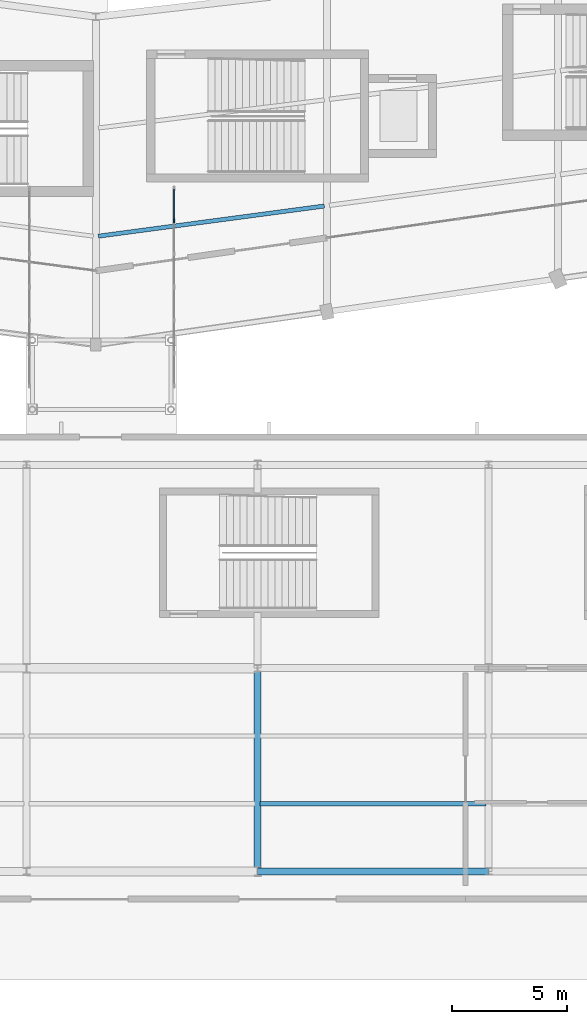
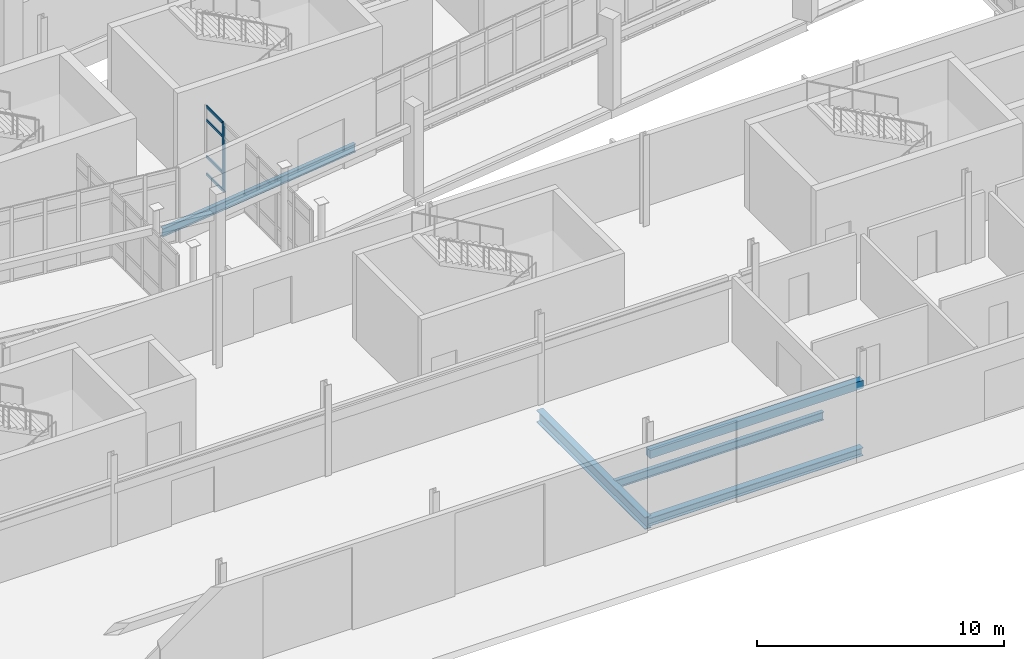
# One storey, part 37 of 122: 5 beams, 5 members, 1 element without a shape of its own.
"""IFC4 building model written with IfcOpenShell, lengths in metres."""

from ifc_helpers import new_model, si_unit, direction, frame, origin, origin_2d, place, context, subcontext, project, spatial, rectangle, i_section, extrude, material, layer, layer_set, material_profile, profile_set, type_object, element, aggregate, save


model = new_model("IFC4")

# Units and contexts
model_context = context("Model", 3, precision=1e-05, world=origin(), true_north=direction((0.0, 1.0)))
body_context = subcontext(model_context, "Body", "Model", "MODEL_VIEW")
ifc_project = project(units=[si_unit("LENGTHUNIT", "METRE"), si_unit("AREAUNIT", "SQUARE_METRE"), si_unit("VOLUMEUNIT", "CUBIC_METRE"), si_unit("PLANEANGLEUNIT", "RADIAN"), si_unit("MASSUNIT", "GRAM", prefix="KILO")], contexts=[model_context])

# Site, building, storey
site_placement = place(None, origin())
site = spatial("IfcSite", under=ifc_project, at=site_placement, CompositionType="ELEMENT")
building_placement = place(site_placement, origin())
building = spatial("IfcBuilding", under=site, at=building_placement, Name="Sohan Crest Arena", CompositionType="ELEMENT")
storey_placement = place(building_placement, origin())
storey = spatial("IfcBuildingStorey", under=building, at=storey_placement, Name="L00", CompositionType="ELEMENT", Elevation=0.0)

# Curtain wall, members
ifc_material_1 = material(Name="Thermally broken anodised aluminium", Category="aluminium")
ifc_layer = layer(ifc_material_1, 0.18994140625, Name="Thermally broken anodised aluminium")
ifc_layer_set = layer_set([ifc_layer], Name="Thermally broken anodised aluminium")
curtain_wall_type = type_object("IfcCurtainWallType", Name="ARC-CW05", PredefinedType="NOTDEFINED", material=ifc_layer_set)
curtain_wall_placement = place(storey_placement, origin())
curtain_wall = element("IfcCurtainWall", 1, at=curtain_wall_placement, inside=storey, type_object=curtain_wall_type, Name="Unitised curtain wall CW-248", PredefinedType="NOTDEFINED")
ifc_material_profile_1 = material_profile(ifc_material_1, rectangle(XDim=0.06494140625, YDim=0.179931640625, at=origin_2d()), Name="ALU-MULL 65x180")
ifc_profile_set_1 = profile_set([ifc_material_profile_1], Name="Thermally broken anodised aluminium")
member_type_1 = type_object("IfcMemberType", Name="ARC-CW-ML02", PredefinedType="MULLION", material=ifc_profile_set_1)
member_1_placement = place(storey_placement, frame((101.3798828125, 35.36669921875, 0.0), z_axis=(0.0, 0.0, 1.0), x_axis=(-1.0, 0.0, 0.0)))
member_1 = element("IfcMember", 2, at=member_1_placement, type_object=member_type_1, Name="CW-248 mullion 6", PredefinedType="MULLION", context=body_context, shape_type="SweptSolid", body=[
    extrude(rectangle(XDim=0.06494140625, YDim=0.179931640625, at=origin_2d()), origin(), (0.0, 0.0, 1.0), 3.39990234375),
])
ifc_material_profile_2 = material_profile(ifc_material_1, rectangle(XDim=0.06005859375, YDim=0.1201171875, at=origin_2d()), Name="ALU-TRAN 60x120")
ifc_profile_set_2 = profile_set([ifc_material_profile_2], Name="Thermally broken anodised aluminium")
member_type_2 = type_object("IfcMemberType", Name="ARC-CW-TR01", PredefinedType="USERDEFINED", material=ifc_profile_set_2)
member_2_placement = place(storey_placement, frame((101.3798828125, 35.399169921875, 0.030029296875), z_axis=(0.0, 1.0, 0.0), x_axis=(-1.0, 0.0, 0.0)))
member_2 = element("IfcMember", 3, at=member_2_placement, type_object=member_type_2, Name="CW-248 transom 6.1", ObjectType="TRANSOM", PredefinedType="USERDEFINED", context=body_context, shape_type="SweptSolid", body=[
    extrude(rectangle(XDim=0.06005859375, YDim=0.1201171875, at=origin_2d()), origin(), (0.0, 0.0, 1.0), 1.3359375),
])
member_3_placement = place(storey_placement, frame((101.3798828125, 35.399169921875, 0.89990234375), z_axis=(0.0, 1.0, 0.0), x_axis=(-1.0, 0.0, 0.0)))
member_3 = element("IfcMember", 4, at=member_3_placement, type_object=member_type_2, Name="CW-248 transom 6.2", ObjectType="TRANSOM", PredefinedType="USERDEFINED", context=body_context, shape_type="SweptSolid", body=[
    extrude(rectangle(XDim=0.06005859375, YDim=0.1201171875, at=origin_2d()), origin(), (0.0, 0.0, 1.0), 1.3359375),
])
member_4_placement = place(storey_placement, frame((101.3798828125, 35.399169921875, 2.699951171875), z_axis=(0.0, 1.0, 0.0), x_axis=(-1.0, 0.0, 0.0)))
member_4 = element("IfcMember", 5, at=member_4_placement, type_object=member_type_2, Name="CW-248 transom 6.3", ObjectType="TRANSOM", PredefinedType="USERDEFINED", context=body_context, shape_type="SweptSolid", body=[
    extrude(rectangle(XDim=0.06005859375, YDim=0.1201171875, at=origin_2d()), origin(), (0.0, 0.0, 1.0), 1.3359375),
])
member_5_placement = place(storey_placement, frame((101.3798828125, 35.399169921875, 3.3701171875), z_axis=(0.0, 1.0, 0.0), x_axis=(-1.0, 0.0, 0.0)))
member_5 = element("IfcMember", 6, at=member_5_placement, type_object=member_type_2, Name="CW-248 transom 6.4", ObjectType="TRANSOM", PredefinedType="USERDEFINED", context=body_context, shape_type="SweptSolid", body=[
    extrude(rectangle(XDim=0.06005859375, YDim=0.1201171875, at=origin_2d()), origin(), (0.0, 0.0, 1.0), 1.3359375),
])
aggregate(curtain_wall, [member_1, member_2, member_3, member_4, member_5])

# Beams
ifc_material_2 = material(Name="Steel S355", Category="steel")
ifc_material_profile_3 = material_profile(ifc_material_2, i_section(OverallWidth=0.179931640625, OverallDepth=0.39990234375, WebThickness=0.008544921875, FlangeThickness=0.013427734375, at=origin_2d()), Name="IPE 400")
ifc_profile_set_3 = profile_set([ifc_material_profile_3], Name="Steel S355")
beam_type_1 = type_object("IfcBeamType", Name="STR-BM-B03", PredefinedType="JOIST", material=ifc_profile_set_3)
beam_1_placement = place(storey_placement, frame((98.10888671875, 34.700927734375, -0.47509765625), z_axis=(0.991216229825, 0.132251222039, 0.0), x_axis=(-0.132251222039, 0.991216229825, 0.0)))
element("IfcBeam", 7, at=beam_1_placement, inside=storey, type_object=beam_type_1, Name="Structural beam J-L00-0966", PredefinedType="JOIST", context=body_context, shape_type="SweptSolid", body=[
    extrude(i_section(OverallWidth=0.179931640625, OverallDepth=0.39990234375, WebThickness=0.008544921875, FlangeThickness=0.013427734375, at=origin_2d()), origin(), (0.0, 0.0, 1.0), 9.868896484375),
])
beam_2_placement = place(storey_placement, frame((105.110107421875, 10.133056640625, -0.5), z_axis=(1.0, 0.0, 0.0), x_axis=(0.0, 1.0, 0.0)))
element("IfcBeam", 8, at=beam_2_placement, inside=storey, type_object=beam_type_1, Name="Structural beam J-L00-2536", PredefinedType="JOIST", context=body_context, shape_type="SweptSolid", body=[
    extrude(i_section(OverallWidth=0.179931640625, OverallDepth=0.39990234375, WebThickness=0.008544921875, FlangeThickness=0.013427734375, at=origin_2d()), origin(), (0.0, 0.0, 1.0), 9.77978515625),
])
ifc_material_profile_4 = material_profile(ifc_material_2, i_section(OverallWidth=0.300048828125, OverallDepth=0.389892578125, WebThickness=0.010986328125, FlangeThickness=0.01904296875, at=origin_2d()), Name="HEA 400")
ifc_profile_set_4 = profile_set([ifc_material_profile_4], Name="Steel S355")
beam_type_2 = type_object("IfcBeamType", Name="STR-BM-B09", PredefinedType="BEAM", material=ifc_profile_set_4)
beam_3_placement = place(storey_placement, frame((105.0, 7.199951171875, -0.4951171875), z_axis=(1.0, 0.0, 0.0), x_axis=(0.0, 1.0, 0.0)))
element("IfcBeam", 9, at=beam_3_placement, inside=storey, type_object=beam_type_2, Name="Structural beam G-L00-2535", PredefinedType="BEAM", context=body_context, shape_type="SweptSolid", body=[
    extrude(i_section(OverallWidth=0.300048828125, OverallDepth=0.389892578125, WebThickness=0.010986328125, FlangeThickness=0.01904296875, at=origin_2d()), origin(), (0.0, 0.0, 1.0), 10.0),
])
ifc_material_profile_5 = material_profile(ifc_material_2, i_section(OverallWidth=0.300048828125, OverallDepth=0.60009765625, WebThickness=0.015380859375, FlangeThickness=0.030029296875, at=origin_2d()), Name="HEB 600")
ifc_profile_set_5 = profile_set([ifc_material_profile_5], Name="Steel S355")
beam_type_3 = type_object("IfcBeamType", Name="STR-BM-B15", PredefinedType="BEAM", material=ifc_profile_set_5)
beam_4_placement = place(storey_placement, frame((105.0, 7.199951171875, -0.60009765625), z_axis=(0.0, 1.0, 0.0), x_axis=(-1.0, 0.0, 0.0)))
element("IfcBeam", 10, at=beam_4_placement, inside=storey, type_object=beam_type_3, Name="Structural beam G-L00-2509", PredefinedType="BEAM", context=body_context, shape_type="SweptSolid", body=[
    extrude(i_section(OverallWidth=0.300048828125, OverallDepth=0.60009765625, WebThickness=0.015380859375, FlangeThickness=0.030029296875, at=origin_2d()), origin(), (0.0, 0.0, 1.0), 8.800048828125),
])
ifc_material_3 = material(Name="Concrete C40/50", Category="concrete")
ifc_material_profile_6 = material_profile(ifc_material_3, rectangle(XDim=0.300048828125, YDim=0.39990234375, at=origin_2d()), Name="RC-LNT 300x400")
ifc_profile_set_6 = profile_set([ifc_material_profile_6], Name="Concrete C40/50")
beam_type_4 = type_object("IfcBeamType", Name="STR-BM-LN01", PredefinedType="LINTEL", material=ifc_profile_set_6)
beam_5_placement = place(storey_placement, frame((105.0, 7.199951171875, 2.85009765625), z_axis=(1.0, 0.0, 0.0), x_axis=(0.0, 1.0, 0.0)))
element("IfcBeam", 11, at=beam_5_placement, inside=storey, type_object=beam_type_4, Name="Structural beam LN-L00-2918", PredefinedType="LINTEL", context=body_context, shape_type="SweptSolid", body=[
    extrude(rectangle(XDim=0.300048828125, YDim=0.39990234375, at=origin_2d()), origin(), (0.0, 0.0, 1.0), 10.0),
])

save(model, "model.ifc")
